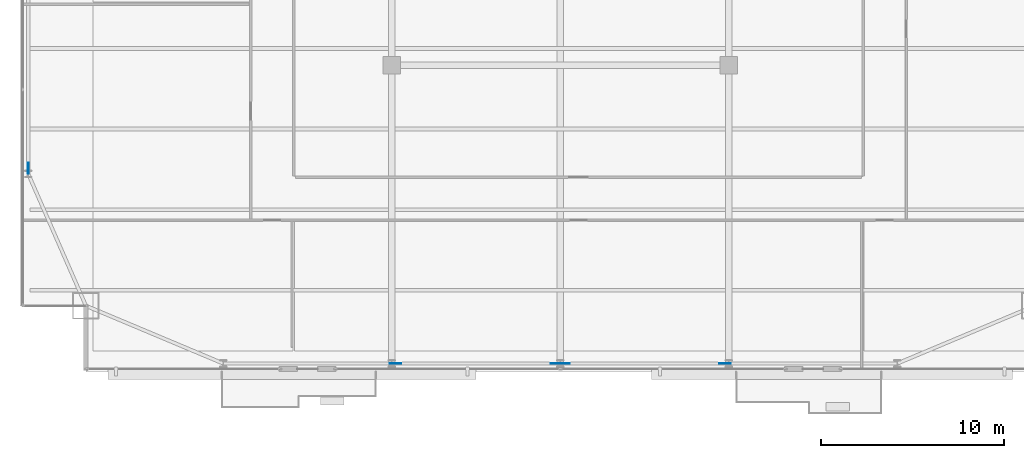
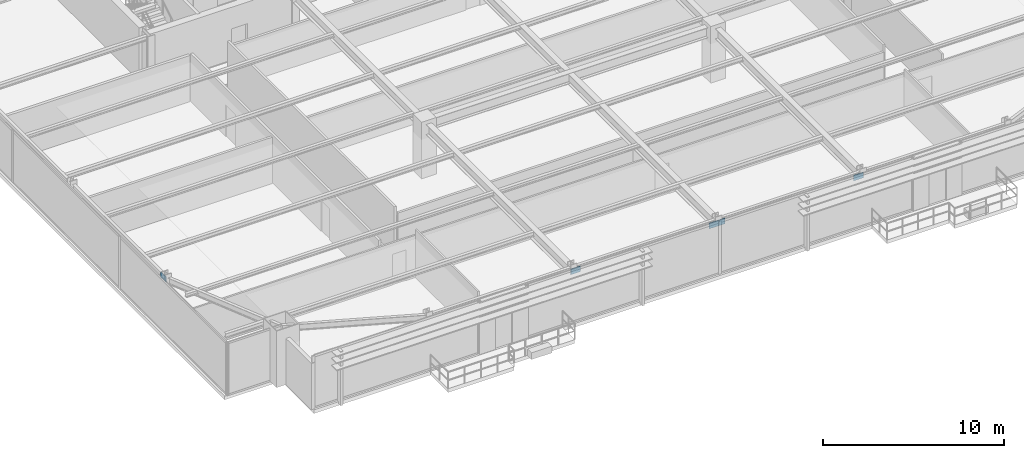
# One storey, part 28 of 36: 5 plates.
"""IFC4 building model written with IfcOpenShell, lengths in metres."""

from ifc_helpers import new_model, si_unit, direction, frame, origin, origin_2d, place, context, subcontext, project, spatial, rectangle, extrude, source, transform, mapped, material, layer, layer_set, type_object, type_shapes, element, save


model = new_model("IFC4")

# Units and contexts
model_context = context("Model", 3, precision=1e-05, world=origin(), true_north=direction((0.0, 1.0)))
body_context = subcontext(model_context, "Body", "Model", "MODEL_VIEW")
ifc_project = project(units=[si_unit("LENGTHUNIT", "METRE"), si_unit("AREAUNIT", "SQUARE_METRE"), si_unit("VOLUMEUNIT", "CUBIC_METRE"), si_unit("PLANEANGLEUNIT", "RADIAN"), si_unit("MASSUNIT", "GRAM", prefix="KILO")], contexts=[model_context])

# Site, building, storey
site_placement = place(None, origin())
site = spatial("IfcSite", under=ifc_project, at=site_placement, CompositionType="ELEMENT")
building_placement = place(site_placement, origin())
building = spatial("IfcBuilding", under=site, at=building_placement, Name="Varnel Quay Broadcast Tower", CompositionType="ELEMENT")
storey_placement = place(building_placement, frame((0.0, 0.0, 114.39990234375)))
storey = spatial("IfcBuildingStorey", under=building, at=storey_placement, Name="L27", CompositionType="ELEMENT", Elevation=114.39990234375)

# Plates
ifc_material = material(Name="Structural Steel CSA G40.21 350WT", Category="steel")
ifc_layer = layer(ifc_material, 0.031982421875, Name="Structural Steel CSA G40.21 350WT")
ifc_layer_set = layer_set([ifc_layer], Name="Structural Steel CSA G40.21 350WT")
plate_type = type_object("IfcPlateType", Name="Plate_EndCap", PredefinedType="USERDEFINED", material=ifc_layer_set)
shared_shape = source(origin(), body_context, "Body", "SweptSolid", [
    extrude(rectangle(XDim=0.6201171875, YDim=0.031982421875, at=origin_2d()), origin(), (0.0, 0.0, 1.0), 0.3798828125),
])
type_shapes(plate_type, [shared_shape])
for number, where, z_axis, x_axis, name in (
    (1, (33.800537109375, 4.64990234375, 3.016845703125), (0.0, 0.0, 1.0), (1.0, 0.0, 0.0), "Zone 2 Mega-Brace S-C1T2 Diag A End Connection Plate P1"),
    (2, (24.99951171875, 4.64990234375, 3.016845703125), (0.0, 0.0, 1.0), (1.0, 0.0, 0.0), "Zone 2 Mega-Brace S-C1T2 Diag B2 End Connection Plate P1"),
    (3, (43.00048828125, 4.64990234375, 3.016845703125), (0.0, 0.0, 1.0), (1.0, 0.0, 0.0), "Zone 2 Mega-Brace S-C2T2 Diag A End Connection Plate P1"),
    (4, (34.199462890625, 4.64990234375, 3.016845703125), (0.0, 0.0, 1.0), (1.0, 0.0, 0.0), "Zone 2 Mega-Brace S-C2T2 Diag B2 End Connection Plate P1"),
    (5, (4.949951171875, 15.307861328125, 3.117431640625), (0.0, 0.0, 1.0), (0.0, 1.0, 0.0), "Zone 2 Mega-Brace W-FT2 Diag B2 End Connection Plate P1"),
):
    element("IfcPlate", number, at=place(storey_placement, frame(where, z_axis=z_axis, x_axis=x_axis)), inside=storey, type_object=plate_type, Name=name, ObjectType="CAP_PLATE", PredefinedType="USERDEFINED", context=body_context, shape_type="MappedRepresentation", body=[
        mapped(shared_shape, transform((0.0, 0.0, 0.0), x_axis=(1.0, 0.0, 0.0), y_axis=(0.0, 1.0, 0.0), z_axis=(0.0, 0.0, 1.0), scale=1.0)),
    ])

save(model, "model.ifc")
